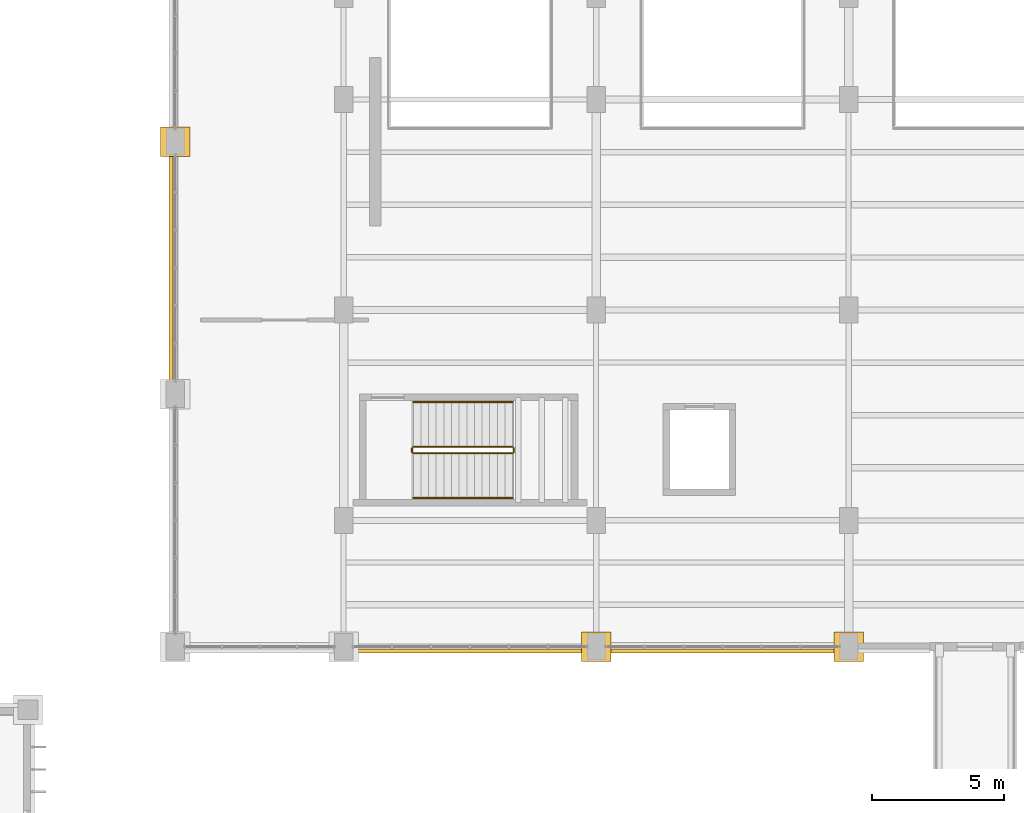
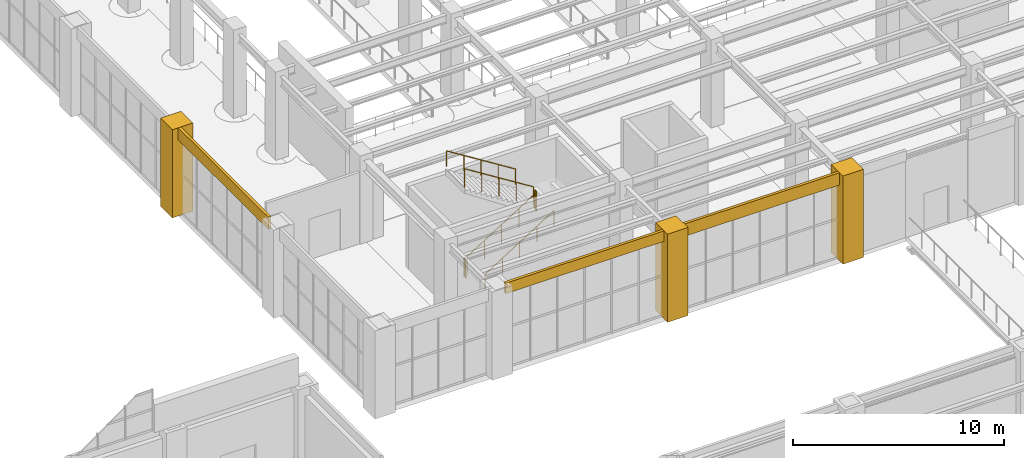
# One storey, part 163 of 174: 6 coverings, 6 railings.
"""IFC4 building model written with IfcOpenShell, lengths in metres."""

from ifc_helpers import new_model, si_unit, direction, frame, origin, origin_2d, place, context, subcontext, project, spatial, polyline, circle, outline, extrude, material, layer, layer_set, type_object, element, save


model = new_model("IFC4")

# Units and contexts
model_context = context("Model", 3, precision=1e-05, world=origin(), true_north=direction((0.0, 1.0)))
body_context = subcontext(model_context, "Body", "Model", "MODEL_VIEW")
ifc_project = project(units=[si_unit("LENGTHUNIT", "METRE"), si_unit("AREAUNIT", "SQUARE_METRE"), si_unit("VOLUMEUNIT", "CUBIC_METRE"), si_unit("PLANEANGLEUNIT", "RADIAN"), si_unit("MASSUNIT", "GRAM", prefix="KILO")], contexts=[model_context])

# Site, building, storey
site_placement = place(None, origin())
site = spatial("IfcSite", under=ifc_project, at=site_placement, CompositionType="ELEMENT")
building_placement = place(site_placement, origin())
building = spatial("IfcBuilding", under=site, at=building_placement, Name="Mavantir Sound Aquarium", CompositionType="ELEMENT")
storey_placement = place(building_placement, frame((0.0, 0.0, 5.39990234375)))
storey = spatial("IfcBuildingStorey", under=building, at=storey_placement, Name="L01", CompositionType="ELEMENT", Elevation=5.39990234375)

# Coverings
ifc_material_1 = material(Name="Honed Coral-Limestone & Glazed Terracotta Rainscreen Cladding", Category="masonry")
ifc_layer = layer(ifc_material_1, 0.06005859375, Name="Honed Coral-Limestone & Glazed Terracotta Rainscreen Cladding")
ifc_layer_set = layer_set([ifc_layer], Name="Honed Coral-Limestone & Glazed Terracotta Rainscreen Cladding")
covering_type = type_object("IfcCoveringType", Name="COV-CLAD-TC", PredefinedType="CLADDING", material=ifc_layer_set)
covering_1_placement = place(storey_placement, frame((0.0, 0.0, 4.39599609375)))
element("IfcCovering", 1, at=covering_1_placement, inside=storey, type_object=covering_type, Name="L01 Postmodern coral-limestone spandrel frieze 222", PredefinedType="CLADDING", context=body_context, shape_type="SweptSolid", body=[
    extrude(outline(polyline([(101.510009765625, 54.69189453125), (101.510009765625, 46.10791015625), (101.360107421875, 46.10791015625), (101.360107421875, 54.69189453125), (101.510009765625, 54.69189453125)])), origin(), (0.0, 0.0, 1.0), 0.7041015625),
])
covering_2_placement = place(storey_placement, frame((0.0, 0.0, 4.4931640625)))
element("IfcCovering", 2, at=covering_2_placement, inside=storey, type_object=covering_type, Name="L01 Postmodern coral-limestone spandrel frieze 225", PredefinedType="CLADDING", context=body_context, shape_type="SweptSolid", body=[
    extrude(outline(polyline([(108.35791015625, 35.909912109375), (117.241943359375, 35.909912109375), (117.241943359375, 35.760009765625), (108.35791015625, 35.760009765625), (108.35791015625, 35.909912109375)])), origin(), (0.0, 0.0, 1.0), 0.60693359375),
])
covering_3_placement = place(storey_placement, frame((0.0, 0.0, 4.38818359375)))
element("IfcCovering", 3, at=covering_3_placement, inside=storey, type_object=covering_type, Name="L01 Postmodern coral-limestone spandrel frieze 226", PredefinedType="CLADDING", context=body_context, shape_type="SweptSolid", body=[
    extrude(outline(polyline([(117.9580078125, 35.909912109375), (126.842041015625, 35.909912109375), (126.842041015625, 35.760009765625), (117.9580078125, 35.760009765625), (117.9580078125, 35.909912109375)])), origin(), (0.0, 0.0, 1.0), 0.7119140625),
])
covering_4_placement = place(storey_placement, origin())
element("IfcCovering", 4, at=covering_4_placement, inside=storey, type_object=covering_type, Name="L01 Postmodern coral-limestone pilaster casing 216", PredefinedType="CLADDING", context=body_context, shape_type="SweptSolid", body=[
    extrude(outline(polyline([(101.0400390625, 54.639892578125), (102.159912109375, 54.639892578125), (102.159912109375, 55.760009765625), (101.0400390625, 55.760009765625), (101.0400390625, 54.639892578125)])), origin(), (0.0, 0.0, 1.0), 5.10009765625),
])
covering_5_placement = place(storey_placement, origin())
element("IfcCovering", 5, at=covering_5_placement, inside=storey, type_object=covering_type, Name="L01 Postmodern coral-limestone pilaster casing 252", PredefinedType="CLADDING", context=body_context, shape_type="SweptSolid", body=[
    extrude(outline(polyline([(117.0400390625, 35.43994140625), (118.159912109375, 35.43994140625), (118.159912109375, 36.56005859375), (117.0400390625, 36.56005859375), (117.0400390625, 35.43994140625)])), origin(), (0.0, 0.0, 1.0), 5.10009765625),
])
covering_6_placement = place(storey_placement, origin())
element("IfcCovering", 6, at=covering_6_placement, inside=storey, type_object=covering_type, Name="L01 Postmodern coral-limestone pilaster casing 264", PredefinedType="CLADDING", context=body_context, shape_type="SweptSolid", body=[
    extrude(outline(polyline([(126.639892578125, 35.43994140625), (127.760009765625, 35.43994140625), (127.760009765625, 36.56005859375), (126.639892578125, 36.56005859375), (126.639892578125, 35.43994140625)])), origin(), (0.0, 0.0, 1.0), 5.10009765625),
])

# Railings
ifc_material_2 = material(Name="Stainless Steel 316 and Laminated Glass Guardrail", Category="steel")
railing_type_1 = type_object("IfcRailingType", Name="RL-GUARD-110", PredefinedType="GUARDRAIL", material=ifc_material_2)
railing_1_placement = place(storey_placement, frame((110.64990234375, 43.35009765625, 0.18212890625)))
element("IfcRailing", 7, at=railing_1_placement, inside=storey, type_object=railing_type_1, Name="L01 ST4 stair guard 1", PredefinedType="GUARDRAIL", context=body_context, shape_type="SweptSolid", body=[
    extrude(circle(Radius=0.02392578125, at=origin_2d()), frame((0.0, 0.0, 1.076171875), z_axis=(0.846819337722, 0.0, 0.53188063441), x_axis=(0.0, 1.0, 0.0)), (0.0, 0.0, 1.0), 4.451904296875),
    extrude(circle(Radius=0.02099609375, at=origin_2d()), origin(), (0.0, 0.0, 1.0), 1.052001953125),
    extrude(circle(Radius=0.02099609375, at=origin_2d()), frame((0.9423828125, 0.0, 0.592041015625)), (0.0, 0.0, 1.0), 1.052001953125),
    extrude(circle(Radius=0.02099609375, at=origin_2d()), frame((1.885009765625, 0.0, 1.18408203125)), (0.0, 0.0, 1.0), 1.052001953125),
    extrude(circle(Radius=0.02099609375, at=origin_2d()), frame((2.82763671875, 0.0, 1.77587890625)), (0.0, 0.0, 1.0), 1.052001953125),
    extrude(circle(Radius=0.02099609375, at=origin_2d()), frame((3.77001953125, 0.0, 2.367919921875)), (0.0, 0.0, 1.0), 1.052001953125),
])
railing_2_placement = place(storey_placement, frame((114.469970703125, 43.39990234375, 2.550048828125)))
element("IfcRailing", 8, at=railing_2_placement, inside=storey, type_object=railing_type_1, Name="L01 ST4 stair guard 2", PredefinedType="GUARDRAIL", context=body_context, shape_type="SweptSolid", body=[
    extrude(circle(Radius=0.02392578125, at=origin_2d()), frame((0.0, 0.0, 1.076171875), z_axis=(0.0, 1.0, 0.0), x_axis=(-1.0, 0.0, 0.0)), (0.0, 0.0, 1.0), 0.150146484375),
    extrude(circle(Radius=0.02099609375, at=origin_2d()), origin(), (0.0, 0.0, 1.0), 1.052001953125),
    extrude(circle(Radius=0.02099609375, at=origin_2d()), frame((0.0, 0.150146484375, 0.0)), (0.0, 0.0, 1.0), 1.052001953125),
])
railing_3_placement = place(storey_placement, frame((114.419921875, 43.60009765625, 2.732177734375)))
element("IfcRailing", 9, at=railing_3_placement, inside=storey, type_object=railing_type_1, Name="L01 ST4 stair guard 3", PredefinedType="GUARDRAIL", context=body_context, shape_type="SweptSolid", body=[
    extrude(circle(Radius=0.02392578125, at=origin_2d()), frame((0.0, 0.0, 1.076171875), z_axis=(-0.846819337722, 0.0, 0.53188063441), x_axis=(0.0, -1.0, 0.0)), (0.0, 0.0, 1.0), 4.451904296875),
    extrude(circle(Radius=0.02099609375, at=origin_2d()), origin(), (0.0, 0.0, 1.0), 1.052001953125),
    extrude(circle(Radius=0.02099609375, at=origin_2d()), frame((-0.9423828125, 0.0, 0.592041015625)), (0.0, 0.0, 1.0), 1.052001953125),
    extrude(circle(Radius=0.02099609375, at=origin_2d()), frame((-1.885009765625, 0.0, 1.18408203125)), (0.0, 0.0, 1.0), 1.052001953125),
    extrude(circle(Radius=0.02099609375, at=origin_2d()), frame((-2.82763671875, 0.0, 1.77587890625)), (0.0, 0.0, 1.0), 1.052001953125),
    extrude(circle(Radius=0.02099609375, at=origin_2d()), frame((-3.77001953125, 0.0, 2.367919921875)), (0.0, 0.0, 1.0), 1.052001953125),
])
railing_4_placement = place(storey_placement, frame((110.60009765625, 43.39990234375, 0.0)))
element("IfcRailing", 10, at=railing_4_placement, inside=storey, type_object=railing_type_1, Name="L01 ST4 stair guard 4", PredefinedType="GUARDRAIL", context=body_context, shape_type="SweptSolid", body=[
    extrude(circle(Radius=0.02392578125, at=origin_2d()), frame((0.0, 0.0, 1.076171875), z_axis=(0.0, 1.0, 0.0), x_axis=(-1.0, 0.0, 0.0)), (0.0, 0.0, 1.0), 0.150146484375),
    extrude(circle(Radius=0.02099609375, at=origin_2d()), origin(), (0.0, 0.0, 1.0), 1.052001953125),
    extrude(circle(Radius=0.02099609375, at=origin_2d()), frame((0.0, 0.150146484375, 0.0)), (0.0, 0.0, 1.0), 1.052001953125),
])
ifc_material_3 = material(Name="Brushed Stainless Steel 316 Handrail", Category="steel")
railing_type_2 = type_object("IfcRailingType", Name="RL-HR-90", PredefinedType="HANDRAIL", material=ifc_material_3)
railing_5_placement = place(storey_placement, frame((110.64990234375, 41.64990234375, 0.3671875)))
element("IfcRailing", 11, at=railing_5_placement, inside=storey, type_object=railing_type_2, Name="L01 ST4 stair handrail 1", PredefinedType="HANDRAIL", context=body_context, shape_type="SweptSolid", body=[
    extrude(circle(Radius=0.02392578125, at=origin_2d()), frame((0.0, 0.0, 0.89111328125), z_axis=(0.846819337722, 0.0, 0.53188063441), x_axis=(0.0, 1.0, 0.0)), (0.0, 0.0, 1.0), 4.451904296875),
    extrude(circle(Radius=0.02099609375, at=origin_2d()), origin(), (0.0, 0.0, 1.0), 0.866943359375),
    extrude(circle(Radius=0.02099609375, at=origin_2d()), frame((0.9423828125, 0.0, 0.592041015625)), (0.0, 0.0, 1.0), 0.866943359375),
    extrude(circle(Radius=0.02099609375, at=origin_2d()), frame((1.885009765625, 0.0, 1.18408203125)), (0.0, 0.0, 1.0), 0.866943359375),
    extrude(circle(Radius=0.02099609375, at=origin_2d()), frame((2.82763671875, 0.0, 1.77587890625)), (0.0, 0.0, 1.0), 0.866943359375),
    extrude(circle(Radius=0.02099609375, at=origin_2d()), frame((3.77001953125, 0.0, 2.367919921875)), (0.0, 0.0, 1.0), 0.866943359375),
])
railing_6_placement = place(storey_placement, frame((114.419921875, 45.300048828125, 2.917236328125)))
element("IfcRailing", 12, at=railing_6_placement, inside=storey, type_object=railing_type_2, Name="L01 ST4 stair handrail 2", PredefinedType="HANDRAIL", context=body_context, shape_type="SweptSolid", body=[
    extrude(circle(Radius=0.02392578125, at=origin_2d()), frame((0.0, 0.0, 0.89111328125), z_axis=(-0.846819337722, 0.0, 0.53188063441), x_axis=(0.0, -1.0, 0.0)), (0.0, 0.0, 1.0), 4.451904296875),
    extrude(circle(Radius=0.02099609375, at=origin_2d()), origin(), (0.0, 0.0, 1.0), 0.866943359375),
    extrude(circle(Radius=0.02099609375, at=origin_2d()), frame((-0.9423828125, 0.0, 0.592041015625)), (0.0, 0.0, 1.0), 0.866943359375),
    extrude(circle(Radius=0.02099609375, at=origin_2d()), frame((-1.885009765625, 0.0, 1.18408203125)), (0.0, 0.0, 1.0), 0.866943359375),
    extrude(circle(Radius=0.02099609375, at=origin_2d()), frame((-2.82763671875, 0.0, 1.77587890625)), (0.0, 0.0, 1.0), 0.866943359375),
    extrude(circle(Radius=0.02099609375, at=origin_2d()), frame((-3.77001953125, 0.0, 2.367919921875)), (0.0, 0.0, 1.0), 0.866943359375),
])

save(model, "model.ifc")
